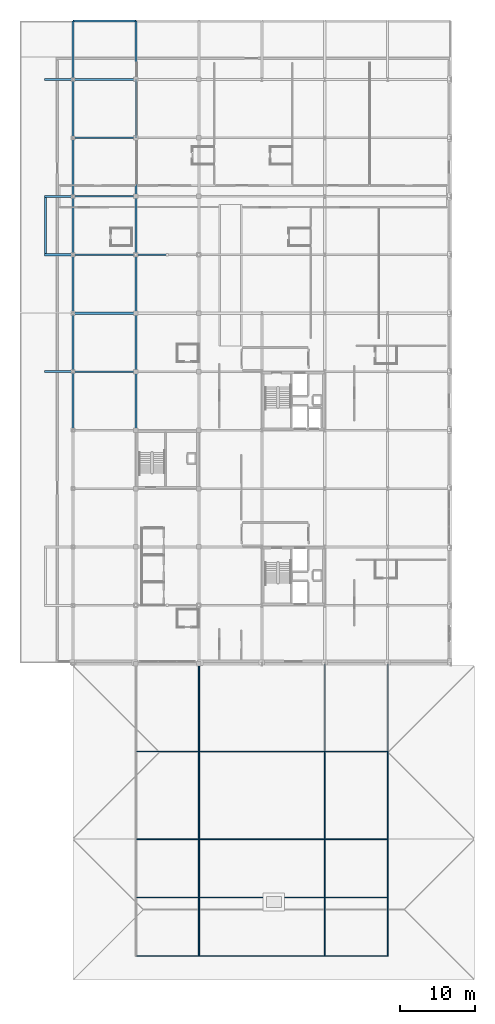
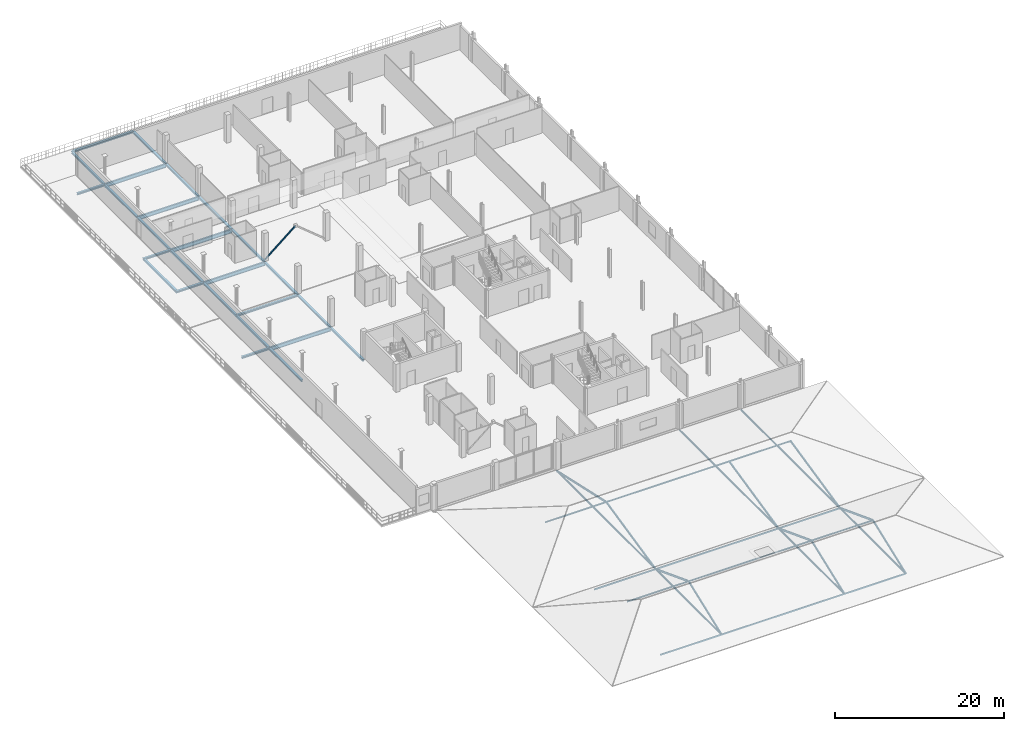
# One storey, part 8 of 25: 26 beams, 21 members.
"""IFC4 building model written with IfcOpenShell, lengths in metres."""

from ifc_helpers import new_model, si_unit, direction, frame, origin, origin_2d, place, context, subcontext, project, spatial, hollow_rectangle, hollow_circle, i_section, extrude, material, material_profile, profile_set, type_object, element, save


model = new_model("IFC4")

# Units and contexts
model_context = context("Model", 3, precision=1e-05, world=origin(), true_north=direction((0.0, 1.0)))
body_context = subcontext(model_context, "Body", "Model", "MODEL_VIEW")
ifc_project = project(units=[si_unit("LENGTHUNIT", "METRE"), si_unit("AREAUNIT", "SQUARE_METRE"), si_unit("VOLUMEUNIT", "CUBIC_METRE"), si_unit("PLANEANGLEUNIT", "RADIAN"), si_unit("MASSUNIT", "GRAM", prefix="KILO")], contexts=[model_context])

# Site, building, storey
site_placement = place(None, origin())
site = spatial("IfcSite", under=ifc_project, at=site_placement, CompositionType="ELEMENT")
building_placement = place(site_placement, origin())
building = spatial("IfcBuilding", under=site, at=building_placement, Name="Nabrawat Pavilion Hospital", CompositionType="ELEMENT")
storey_placement = place(building_placement, frame((0.0, 0.0, 22.949951171875)))
storey = spatial("IfcBuildingStorey", under=building, at=storey_placement, Name="L05", CompositionType="ELEMENT", Elevation=22.949951171875)

# Beams
ifc_material = material(Name="Steel S355", Category="steel")
ifc_material_profile_1 = material_profile(ifc_material, i_section(OverallWidth=0.2099609375, OverallDepth=0.550048828125, WebThickness=0.010986328125, FlangeThickness=0.01708984375, FilletRadius=0.02392578125, at=origin_2d()), Name="IPE 550")
ifc_profile_set_1 = profile_set([ifc_material_profile_1], Name="Steel S355")
beam_type_1 = type_object("IfcBeamType", Name="Long-Span Floor Girder IPE 550", PredefinedType="USERDEFINED", material=ifc_profile_set_1)
for number, where, z_axis, x_axis, name in (
    (1, (142.820068359375, 78.0, -0.5048828125), (1.0, 0.0, 0.0), (0.0, 1.0, 0.0), "L05 Primary X Girder 2014"),
    (2, (142.820068359375, 93.60009765625, -0.5048828125), (1.0, 0.0, 0.0), (0.0, 1.0, 0.0), "L05 Primary X Girder 2026"),
    (3, (142.820068359375, 101.39990234375, -0.5048828125), (1.0, 0.0, 0.0), (0.0, 1.0, 0.0), "L05 Primary X Girder 2030"),
    (4, (142.820068359375, 109.199951171875, -0.5048828125), (1.0, 0.0, 0.0), (0.0, 1.0, 0.0), "L05 Primary X Girder 2034"),
    (5, (142.820068359375, 117.0, -0.5048828125), (1.0, 0.0, 0.0), (0.0, 1.0, 0.0), "L05 Primary X Girder 2038"),
):
    element("IfcBeam", number, at=place(storey_placement, frame(where, z_axis=z_axis, x_axis=x_axis)), inside=storey, type_object=beam_type_1, Name=name, ObjectType="GIRDER", PredefinedType="USERDEFINED", context=body_context, shape_type="SweptSolid", body=[
        extrude(i_section(OverallWidth=0.2099609375, OverallDepth=0.550048828125, WebThickness=0.010986328125, FlangeThickness=0.01708984375, FilletRadius=0.02392578125, at=origin_2d()), origin(), (0.0, 0.0, 1.0), 8.35986328125),
    ])

# Members
ifc_material_profile_2 = material_profile(ifc_material, i_section(OverallWidth=0.135009765625, OverallDepth=0.27001953125, WebThickness=0.006591796875, FlangeThickness=0.01025390625, FilletRadius=0.014892578125, at=origin_2d()), Name="IPE 270")
ifc_profile_set_2 = profile_set([ifc_material_profile_2], Name="Steel S355")
member_type_1 = type_object("IfcMemberType", Name="Outpatient Hipped Roof Rafter IPE 270", PredefinedType="RAFTER", material=ifc_profile_set_2)
for number, where, z_axis, x_axis, name in (
    (6, (159.60009765625, 0.0, -0.349853515625), (0.0, 0.934459004687, 0.35607073533), (-1.0, 0.0, 0.0), "Outpatient South Pavilion South Hipped Rafter 02"),
    (7, (159.60009765625, 15.60009765625, -0.349853515625), (0.0, -0.934459004687, 0.35607073533), (1.0, 0.0, 0.0), "Outpatient South Pavilion North Hipped Rafter 02"),
    (8, (176.39990234375, 0.0, -0.349853515625), (0.0, 0.934459004687, 0.35607073533), (-1.0, 0.0, 0.0), "Outpatient South Pavilion South Hipped Rafter 03"),
    (9, (176.39990234375, 15.60009765625, -0.349853515625), (0.0, -0.934459004687, 0.35607073533), (1.0, 0.0, 0.0), "Outpatient South Pavilion North Hipped Rafter 03"),
    (10, (184.800048828125, 0.0, -0.349853515625), (0.0, 0.934459004687, 0.35607073533), (-1.0, 0.0, 0.0), "Outpatient South Pavilion South Hipped Rafter 04"),
    (11, (184.800048828125, 15.60009765625, -0.349853515625), (0.0, -0.934459004687, 0.35607073533), (1.0, 0.0, 0.0), "Outpatient South Pavilion North Hipped Rafter 04"),
):
    element("IfcMember", number, at=place(storey_placement, frame(where, z_axis=z_axis, x_axis=x_axis)), inside=storey, type_object=member_type_1, Name=name, PredefinedType="RAFTER", context=body_context, shape_type="SweptSolid", body=[
        extrude(i_section(OverallWidth=0.135009765625, OverallDepth=0.27001953125, WebThickness=0.006591796875, FlangeThickness=0.01025390625, FilletRadius=0.014892578125, at=origin_2d()), origin(), (0.0, 0.0, 1.0), 8.34716796875),
    ])
for number, where, z_axis, x_axis, name in (
    (12, (159.60009765625, 15.60009765625, -0.349853515625), (0.0, 0.976133352556, 0.217172001021), (-1.0, 0.0, 0.0), "Outpatient North Pavilion South Hipped Rafter 02"),
    (13, (159.60009765625, 39.0, -0.349853515625), (0.0, -0.976133352556, 0.217172001021), (1.0, 0.0, 0.0), "Outpatient North Pavilion North Hipped Rafter 02"),
    (14, (176.39990234375, 15.60009765625, -0.349853515625), (0.0, 0.976133352556, 0.217172001021), (-1.0, 0.0, 0.0), "Outpatient North Pavilion South Hipped Rafter 03"),
    (15, (184.800048828125, 15.60009765625, -0.349853515625), (0.0, 0.976133352556, 0.217172001021), (-1.0, 0.0, 0.0), "Outpatient North Pavilion South Hipped Rafter 04"),
):
    element("IfcMember", number, at=place(storey_placement, frame(where, z_axis=z_axis, x_axis=x_axis)), inside=storey, type_object=member_type_1, Name=name, PredefinedType="RAFTER", context=body_context, shape_type="SweptSolid", body=[
        extrude(i_section(OverallWidth=0.135009765625, OverallDepth=0.27001953125, WebThickness=0.006591796875, FlangeThickness=0.01025390625, FilletRadius=0.014892578125, at=origin_2d()), origin(), (0.0, 0.0, 1.0), 11.986083984375),
    ])
ifc_material_profile_3 = material_profile(ifc_material, hollow_rectangle(XDim=0.10009765625, YDim=0.199951171875, WallThickness=0.008056640625, at=origin_2d()), Name="RHS 200x100x8")
ifc_profile_set_3 = profile_set([ifc_material_profile_3], Name="Steel S355")
member_type_2 = type_object("IfcMemberType", Name="Overhanging Eave Roof Purlin RHS 200x100x8", PredefinedType="PURLIN", material=ifc_profile_set_3)
for number, where, z_axis, x_axis, name in (
    (16, (151.199951171875, 0.0, -0.349853515625), (1.0, 0.0, 0.0), (0.0, 1.0, 0.0), "Outpatient South Pavilion Eave Tie Purlin"),
    (17, (151.199951171875, 15.60009765625, -0.349853515625), (1.0, 0.0, 0.0), (0.0, 1.0, 0.0), "Outpatient North Pavilion Eave Tie Purlin"),
):
    element("IfcMember", number, at=place(storey_placement, frame(where, z_axis=z_axis, x_axis=x_axis)), inside=storey, type_object=member_type_2, Name=name, PredefinedType="PURLIN", context=body_context, shape_type="SweptSolid", body=[
        extrude(hollow_rectangle(XDim=0.10009765625, YDim=0.199951171875, WallThickness=0.008056640625, at=origin_2d()), origin(), (0.0, 0.0, 1.0), 33.60009765625),
    ])
ifc_material_profile_4 = material_profile(ifc_material, i_section(OverallWidth=0.10009765625, OverallDepth=0.199951171875, WebThickness=0.005615234375, FlangeThickness=0.008544921875, FilletRadius=0.011962890625, at=origin_2d()), Name="IPE 200")
ifc_profile_set_4 = profile_set([ifc_material_profile_4], Name="Steel S355")
member_type_3 = type_object("IfcMemberType", Name="Pavilion Roof Purlin IPE 200", PredefinedType="PURLIN", material=ifc_profile_set_4)
for number, where, z_axis, x_axis, name in (
    (18, (151.199951171875, 7.800048828125, 2.622314453125), (1.0, 0.0, 0.0), (0.0, 1.0, 0.0), "Outpatient South Pavilion Roof Ridge Purlin"),
    (19, (151.199951171875, 27.300048828125, 2.253173828125), (1.0, 0.0, 0.0), (0.0, 1.0, 0.0), "Outpatient North Pavilion Roof Ridge Purlin"),
):
    element("IfcMember", number, at=place(storey_placement, frame(where, z_axis=z_axis, x_axis=x_axis)), inside=storey, type_object=member_type_3, Name=name, PredefinedType="PURLIN", context=body_context, shape_type="SweptSolid", body=[
        extrude(i_section(OverallWidth=0.10009765625, OverallDepth=0.199951171875, WebThickness=0.005615234375, FlangeThickness=0.008544921875, FilletRadius=0.011962890625, at=origin_2d()), origin(), (0.0, 0.0, 1.0), 33.60009765625),
    ])
ifc_material_profile_5 = material_profile(ifc_material, hollow_circle(Radius=0.122314453125, WallThickness=0.012451171875, at=origin_2d()), Name="CHS 244.5x12.5")
ifc_profile_set_5 = profile_set([ifc_material_profile_5], Name="Steel S355")
member_type_4 = type_object("IfcMemberType", Name="Space Frame Transverse Chord CHS 244.5x12.5", PredefinedType="CHORD", material=ifc_profile_set_5)
for number, where, z_axis, x_axis, name in (
    (20, (159.60009765625, 0.0, -0.349853515625), (0.0, 1.0, 0.0), (-1.0, 0.0, 0.0), "Outpatient South Pavilion Truss Bottom Tie Chord 02"),
    (21, (176.39990234375, 0.0, -0.349853515625), (0.0, 1.0, 0.0), (-1.0, 0.0, 0.0), "Outpatient South Pavilion Truss Bottom Tie Chord 03"),
    (22, (184.800048828125, 0.0, -0.349853515625), (0.0, 1.0, 0.0), (-1.0, 0.0, 0.0), "Outpatient South Pavilion Truss Bottom Tie Chord 04"),
):
    element("IfcMember", number, at=place(storey_placement, frame(where, z_axis=z_axis, x_axis=x_axis)), inside=storey, type_object=member_type_4, Name=name, PredefinedType="CHORD", context=body_context, shape_type="SweptSolid", body=[
        extrude(hollow_circle(Radius=0.122314453125, WallThickness=0.012451171875, at=origin_2d()), origin(), (0.0, 0.0, 1.0), 15.60009765625),
    ])
for number, where, z_axis, x_axis, name in (
    (23, (159.60009765625, 15.60009765625, -0.349853515625), (0.0, 1.0, 0.0), (-1.0, 0.0, 0.0), "Outpatient North Pavilion Truss Bottom Tie Chord 02"),
    (24, (176.39990234375, 15.60009765625, -0.349853515625), (0.0, 1.0, 0.0), (-1.0, 0.0, 0.0), "Outpatient North Pavilion Truss Bottom Tie Chord 03"),
    (25, (184.800048828125, 15.60009765625, -0.349853515625), (0.0, 1.0, 0.0), (-1.0, 0.0, 0.0), "Outpatient North Pavilion Truss Bottom Tie Chord 04"),
):
    element("IfcMember", number, at=place(storey_placement, frame(where, z_axis=z_axis, x_axis=x_axis)), inside=storey, type_object=member_type_4, Name=name, PredefinedType="CHORD", context=body_context, shape_type="SweptSolid", body=[
        extrude(hollow_circle(Radius=0.122314453125, WallThickness=0.012451171875, at=origin_2d()), origin(), (0.0, 0.0, 1.0), 23.39990234375),
    ])
ifc_material_profile_6 = material_profile(ifc_material, hollow_rectangle(XDim=0.14990234375, YDim=0.14990234375, WallThickness=0.010009765625, at=origin_2d()), Name="SHS 150x150x10")
ifc_profile_set_6 = profile_set([ifc_material_profile_6], Name="Steel S355")
member_type_5 = type_object("IfcMemberType", Name="Top Ward Chevron Brace SHS 150x150x10", PredefinedType="BRACE", material=ifc_profile_set_6)
member_placement = place(storey_placement, frame((151.199951171875, 93.60009765625, 0.050048828125), z_axis=(0.772727041362, 0.0, 0.63473846547), x_axis=(0.0, 1.0, 0.0)))
element("IfcMember", 26, at=member_placement, inside=storey, type_object=member_type_5, Name="L05 Seismic Concentric Chevron Brace 077", PredefinedType="BRACE", context=body_context, shape_type="SweptSolid", body=[
    extrude(hollow_rectangle(XDim=0.14990234375, YDim=0.14990234375, WallThickness=0.010009765625, at=origin_2d()), origin(), (0.0, 0.0, 1.0), 5.435302734375),
])

# Beams
ifc_material_profile_7 = material_profile(ifc_material, i_section(OverallWidth=0.280029296875, OverallDepth=0.27001953125, WebThickness=0.008056640625, FlangeThickness=0.012939453125, FilletRadius=0.02392578125, at=origin_2d()), Name="HEA 280")
ifc_profile_set_7 = profile_set([ifc_material_profile_7], Name="Steel S355")
beam_type_2 = type_object("IfcBeamType", Name="Top Ward Floor Beam HEA 280", PredefinedType="BEAM", material=ifc_profile_set_7)
for number, where, z_axis, x_axis, name in (
    (27, (142.800048828125, 70.219970703125, -0.364990234375), (0.0, 1.0, 0.0), (-1.0, 0.0, 0.0), "L05 Primary Y Beam 2054"),
    (28, (142.800048828125, 78.02001953125, -0.364990234375), (0.0, 1.0, 0.0), (-1.0, 0.0, 0.0), "L05 Primary Y Beam 2055"),
    (29, (142.800048828125, 85.820068359375, -0.364990234375), (0.0, 1.0, 0.0), (-1.0, 0.0, 0.0), "L05 Primary Y Beam 2056"),
):
    element("IfcBeam", number, at=place(storey_placement, frame(where, z_axis=z_axis, x_axis=x_axis)), inside=storey, type_object=beam_type_2, Name=name, PredefinedType="BEAM", context=body_context, shape_type="SweptSolid", body=[
        extrude(i_section(OverallWidth=0.280029296875, OverallDepth=0.27001953125, WebThickness=0.008056640625, FlangeThickness=0.012939453125, FilletRadius=0.02392578125, at=origin_2d()), origin(), (0.0, 0.0, 1.0), 7.760009765625),
    ])
beam_1_placement = place(storey_placement, frame((142.800048828125, 93.6201171875, -0.364990234375), z_axis=(0.0, 1.0, 0.0), x_axis=(-1.0, 0.0, 0.0)))
element("IfcBeam", 30, at=beam_1_placement, inside=storey, type_object=beam_type_2, Name="L05 Primary Y Beam 2057", PredefinedType="BEAM", context=body_context, shape_type="SweptSolid", body=[
    extrude(i_section(OverallWidth=0.280029296875, OverallDepth=0.27001953125, WebThickness=0.008056640625, FlangeThickness=0.012939453125, FilletRadius=0.02392578125, at=origin_2d()), origin(), (0.0, 0.0, 1.0), 7.759765625),
])
for number, where, z_axis, x_axis, name in (
    (31, (142.800048828125, 101.419921875, -0.364990234375), (0.0, 1.0, 0.0), (-1.0, 0.0, 0.0), "L05 Primary Y Beam 2058"),
    (32, (142.800048828125, 109.219970703125, -0.364990234375), (0.0, 1.0, 0.0), (-1.0, 0.0, 0.0), "L05 Primary Y Beam 2059"),
    (33, (151.199951171875, 70.219970703125, -0.364990234375), (0.0, 1.0, 0.0), (-1.0, 0.0, 0.0), "L05 Primary Y Beam 2065"),
    (34, (151.199951171875, 78.02001953125, -0.364990234375), (0.0, 1.0, 0.0), (-1.0, 0.0, 0.0), "L05 Primary Y Beam 2066"),
    (35, (151.199951171875, 85.820068359375, -0.364990234375), (0.0, 1.0, 0.0), (-1.0, 0.0, 0.0), "L05 Primary Y Beam 2067"),
):
    element("IfcBeam", number, at=place(storey_placement, frame(where, z_axis=z_axis, x_axis=x_axis)), inside=storey, type_object=beam_type_2, Name=name, PredefinedType="BEAM", context=body_context, shape_type="SweptSolid", body=[
        extrude(i_section(OverallWidth=0.280029296875, OverallDepth=0.27001953125, WebThickness=0.008056640625, FlangeThickness=0.012939453125, FilletRadius=0.02392578125, at=origin_2d()), origin(), (0.0, 0.0, 1.0), 7.760009765625),
    ])
beam_2_placement = place(storey_placement, frame((151.199951171875, 93.6201171875, -0.364990234375), z_axis=(0.0, 1.0, 0.0), x_axis=(-1.0, 0.0, 0.0)))
element("IfcBeam", 36, at=beam_2_placement, inside=storey, type_object=beam_type_2, Name="L05 Primary Y Beam 2068", PredefinedType="BEAM", context=body_context, shape_type="SweptSolid", body=[
    extrude(i_section(OverallWidth=0.280029296875, OverallDepth=0.27001953125, WebThickness=0.008056640625, FlangeThickness=0.012939453125, FilletRadius=0.02392578125, at=origin_2d()), origin(), (0.0, 0.0, 1.0), 7.759765625),
])
for number, where, z_axis, x_axis, name in (
    (37, (151.199951171875, 101.419921875, -0.364990234375), (0.0, 1.0, 0.0), (-1.0, 0.0, 0.0), "L05 Primary Y Beam 2069"),
    (38, (151.199951171875, 109.219970703125, -0.364990234375), (0.0, 1.0, 0.0), (-1.0, 0.0, 0.0), "L05 Primary Y Beam 2070"),
):
    element("IfcBeam", number, at=place(storey_placement, frame(where, z_axis=z_axis, x_axis=x_axis)), inside=storey, type_object=beam_type_2, Name=name, PredefinedType="BEAM", context=body_context, shape_type="SweptSolid", body=[
        extrude(i_section(OverallWidth=0.280029296875, OverallDepth=0.27001953125, WebThickness=0.008056640625, FlangeThickness=0.012939453125, FilletRadius=0.02392578125, at=origin_2d()), origin(), (0.0, 0.0, 1.0), 7.760009765625),
    ])
ifc_material_profile_8 = material_profile(ifc_material, i_section(OverallWidth=0.280029296875, OverallDepth=0.280029296875, WebThickness=0.010498046875, FlangeThickness=0.01806640625, FilletRadius=0.02392578125, at=origin_2d()), Name="HEB 280")
ifc_profile_set_8 = profile_set([ifc_material_profile_8], Name="Steel S355")
beam_type_3 = type_object("IfcBeamType", Name="Upper Terrace Edge Spandrel HEB 280", PredefinedType="SPANDREL", material=ifc_profile_set_8)
for number, where, z_axis, x_axis, name in (
    (39, (142.820068359375, 85.800048828125, -0.369873046875), (1.0, 0.0, 0.0), (0.0, 1.0, 0.0), "L05 Primary X Girder 2020"),
    (40, (142.820068359375, 124.800048828125, -0.35986328125), (1.0, 0.0, 0.0), (0.0, 1.0, 0.0), "L05 Primary X Girder 2044"),
):
    element("IfcBeam", number, at=place(storey_placement, frame(where, z_axis=z_axis, x_axis=x_axis)), inside=storey, type_object=beam_type_3, Name=name, PredefinedType="SPANDREL", context=body_context, shape_type="SweptSolid", body=[
        extrude(i_section(OverallWidth=0.280029296875, OverallDepth=0.280029296875, WebThickness=0.010498046875, FlangeThickness=0.01806640625, FilletRadius=0.02392578125, at=origin_2d()), origin(), (0.0, 0.0, 1.0), 8.35986328125),
    ])
for number, where, z_axis, x_axis, name in (
    (41, (142.800048828125, 117.02001953125, -0.369873046875), (0.0, 1.0, 0.0), (-1.0, 0.0, 0.0), "L05 Primary Y Beam 2060"),
    (42, (151.199951171875, 117.02001953125, -0.369873046875), (0.0, 1.0, 0.0), (-1.0, 0.0, 0.0), "L05 Primary Y Beam 2071"),
):
    element("IfcBeam", number, at=place(storey_placement, frame(where, z_axis=z_axis, x_axis=x_axis)), inside=storey, type_object=beam_type_3, Name=name, PredefinedType="SPANDREL", context=body_context, shape_type="SweptSolid", body=[
        extrude(i_section(OverallWidth=0.280029296875, OverallDepth=0.280029296875, WebThickness=0.010498046875, FlangeThickness=0.01806640625, FilletRadius=0.02392578125, at=origin_2d()), origin(), (0.0, 0.0, 1.0), 7.760009765625),
    ])
for number, where, z_axis, x_axis, name in (
    (43, (139.0, 78.0, -0.369873046875), (1.0, 0.0, 0.0), (0.0, 1.0, 0.0), "L05 Clinical Terrace Outrigger Support Beam 03"),
    (44, (139.0, 93.60009765625, -0.369873046875), (1.0, 0.0, 0.0), (0.0, 1.0, 0.0), "L05 Clinical Terrace Outrigger Support Beam 05"),
    (45, (139.0, 101.39990234375, -0.369873046875), (1.0, 0.0, 0.0), (0.0, 1.0, 0.0), "L05 Clinical Terrace Outrigger Support Beam 06"),
    (46, (139.0, 117.0, -0.369873046875), (1.0, 0.0, 0.0), (0.0, 1.0, 0.0), "L05 Clinical Terrace Outrigger Support Beam 07"),
):
    element("IfcBeam", number, at=place(storey_placement, frame(where, z_axis=z_axis, x_axis=x_axis)), inside=storey, type_object=beam_type_3, Name=name, PredefinedType="SPANDREL", context=body_context, shape_type="SweptSolid", body=[
        extrude(i_section(OverallWidth=0.280029296875, OverallDepth=0.280029296875, WebThickness=0.010498046875, FlangeThickness=0.01806640625, FilletRadius=0.02392578125, at=origin_2d()), origin(), (0.0, 0.0, 1.0), 3.780029296875),
    ])
beam_3_placement = place(storey_placement, frame((139.14990234375, 93.739990234375, -0.369873046875), z_axis=(0.0, 1.0, 0.0), x_axis=(-1.0, 0.0, 0.0)))
element("IfcBeam", 47, at=beam_3_placement, inside=storey, type_object=beam_type_3, Name="L05 Clinical Terrace Outrigger Support Beam 08", PredefinedType="SPANDREL", context=body_context, shape_type="SweptSolid", body=[
    extrude(i_section(OverallWidth=0.280029296875, OverallDepth=0.280029296875, WebThickness=0.010498046875, FlangeThickness=0.01806640625, FilletRadius=0.02392578125, at=origin_2d()), origin(), (0.0, 0.0, 1.0), 7.52001953125),
])

save(model, "model.ifc")
